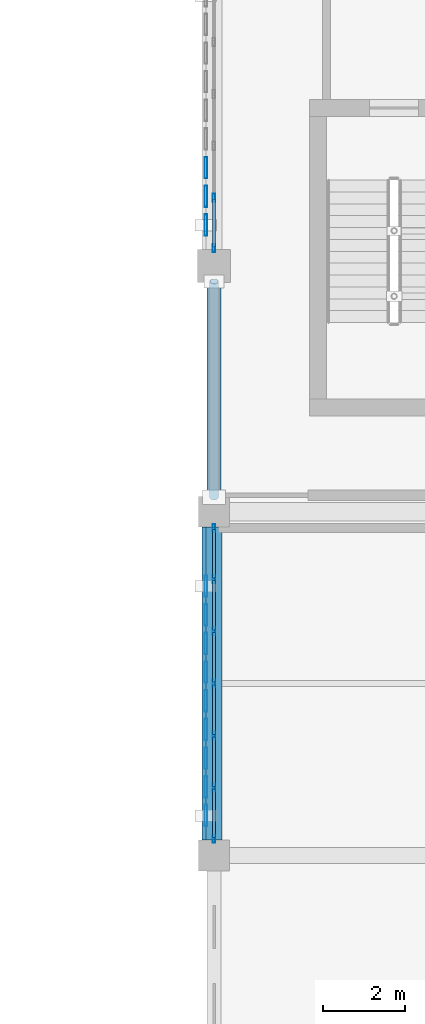
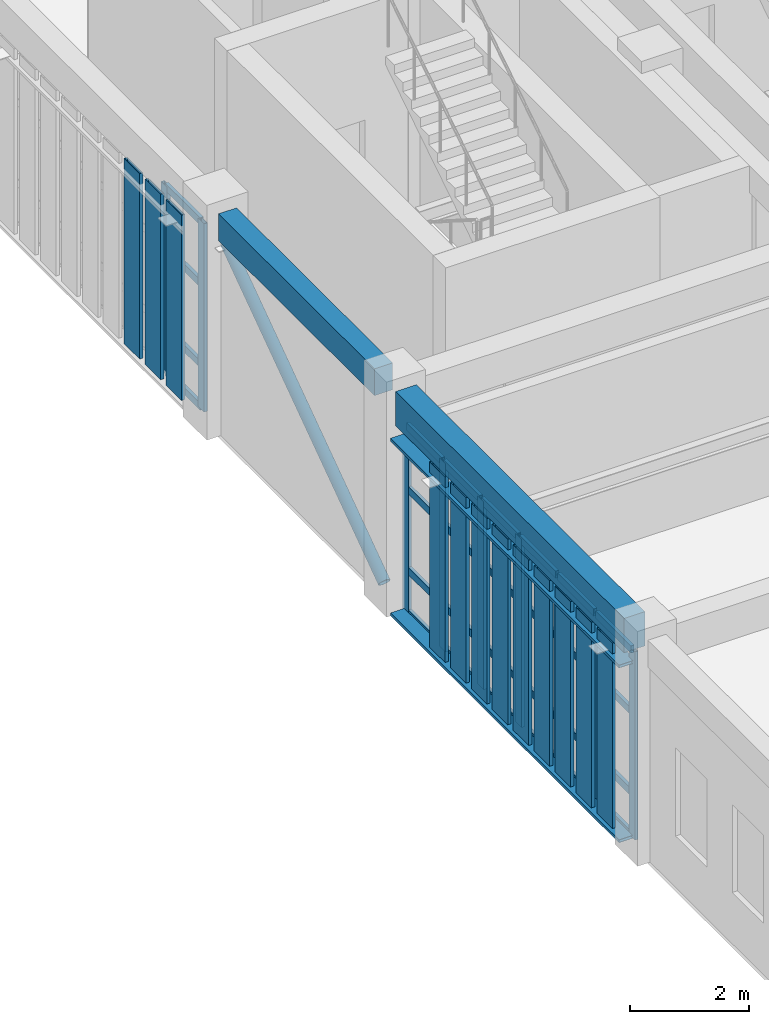
# One storey, part 40 of 76: 52 members, 2 beams, 2 elements without a shape of their own.
"""IFC4 building model written with IfcOpenShell, lengths in metres."""

from ifc_helpers import new_model, si_unit, direction, frame, origin, origin_2d, place, context, subcontext, project, spatial, rectangle, hollow_rectangle, hollow_circle, extrude, material, layer, layer_set, material_profile, profile_set, type_object, element, aggregate, save


model = new_model("IFC4")

# Units and contexts
model_context = context("Model", 3, precision=1e-05, world=origin(), true_north=direction((0.0, 1.0)))
body_context = subcontext(model_context, "Body", "Model", "MODEL_VIEW")
ifc_project = project(units=[si_unit("LENGTHUNIT", "METRE"), si_unit("AREAUNIT", "SQUARE_METRE"), si_unit("VOLUMEUNIT", "CUBIC_METRE"), si_unit("PLANEANGLEUNIT", "RADIAN"), si_unit("MASSUNIT", "GRAM", prefix="KILO")], contexts=[model_context])

# Site, building, storey
site_placement = place(None, origin())
site = spatial("IfcSite", under=ifc_project, at=site_placement, CompositionType="ELEMENT")
building_placement = place(site_placement, origin())
building = spatial("IfcBuilding", under=site, at=building_placement, Name="Krzemoval Escarpment Law Courts", CompositionType="ELEMENT")
storey_placement = place(building_placement, frame((0.0, 0.0, 20.39990234375)))
storey = spatial("IfcBuildingStorey", under=building, at=storey_placement, Name="L04", CompositionType="ELEMENT", Elevation=20.39990234375)

# Beams
ifc_material_1 = material(Name="Concrete C40/50", Category="concrete")
ifc_material_profile_1 = material_profile(ifc_material_1, rectangle(XDim=0.35009765625, YDim=0.550048828125, at=origin_2d()), Name="RCB 350x550")
ifc_profile_set_1 = profile_set([ifc_material_profile_1], Name="Concrete C40/50")
beam_type_1 = type_object("IfcBeamType", Name="BM-RC-350x550", PredefinedType="BEAM", material=ifc_profile_set_1)
beam_1_placement = place(storey_placement, frame((126.0, 93.97509765625, 4.275146484375), z_axis=(0.0, 1.0, 0.0), x_axis=(-1.0, 0.0, 0.0)))
element("IfcBeam", 1, at=beam_1_placement, inside=storey, type_object=beam_type_1, Name="Beam FG-L04-2508", PredefinedType="BEAM", context=body_context, shape_type="SweptSolid", body=[
    extrude(rectangle(XDim=0.35009765625, YDim=0.550048828125, at=origin_2d()), origin(), (0.0, 0.0, 1.0), 5.224853515625),
])
ifc_material_2 = material(Name="Concrete C40/50", Category="concrete")
ifc_material_profile_2 = material_profile(ifc_material_2, rectangle(XDim=0.39990234375, YDim=0.699951171875, at=origin_2d()), Name="RCB 400x700")
ifc_profile_set_2 = profile_set([ifc_material_profile_2], Name="Concrete C40/50")
beam_type_2 = type_object("IfcBeamType", Name="BM-RC-400x700", PredefinedType="BEAM", material=ifc_profile_set_2)
beam_2_placement = place(storey_placement, frame((126.0, 85.574951171875, 4.2001953125), z_axis=(0.0, 1.0, 0.0), x_axis=(-1.0, 0.0, 0.0)))
element("IfcBeam", 2, at=beam_2_placement, inside=storey, type_object=beam_type_2, Name="Beam FG-L04-2507", PredefinedType="BEAM", context=body_context, shape_type="SweptSolid", body=[
    extrude(rectangle(XDim=0.39990234375, YDim=0.699951171875, at=origin_2d()), origin(), (0.0, 0.0, 1.0), 7.650146484375),
])

# Curtain wall, members
ifc_material_3 = material(Name="Aluminium 6063-T6", Category="aluminium")
ifc_layer = layer(ifc_material_3, 0.219970703125)
ifc_layer_set = layer_set([ifc_layer], Name="Aluminium 6063-T6")
curtain_wall_type = type_object("IfcCurtainWallType", Name="CW-CHMB-4200", PredefinedType="USERDEFINED", material=ifc_layer_set)
curtain_wall_1_placement = place(storey_placement, origin())
curtain_wall_1 = element("IfcCurtainWall", 3, at=curtain_wall_1_placement, inside=storey, type_object=curtain_wall_type, Name="Unitised Curtain Wall FCW-L04-123", ObjectType="UNITISED_CURTAIN_WALL", PredefinedType="USERDEFINED")
ifc_material_4 = material(Name="Aluminium 6063-T6", Category="aluminium")
ifc_material_profile_3 = material_profile(ifc_material_4, hollow_rectangle(XDim=0.06494140625, YDim=0.199951171875, WallThickness=0.00439453125, at=origin_2d()), Name="ALU M65x200")
ifc_profile_set_3 = profile_set([ifc_material_profile_3], Name="Aluminium 6063-T6")
member_type_1 = type_object("IfcMemberType", Name="CWM-65x200", PredefinedType="MULLION", material=ifc_profile_set_3)
member_1_placement = place(storey_placement, frame((126.0, 85.607421875, 0.0), z_axis=(0.0, 0.0, 1.0), x_axis=(-1.0, 0.0, 0.0)))
member_1 = element("IfcMember", 4, at=member_1_placement, type_object=member_type_1, Name="FCW-L04-123 mullion 1", PredefinedType="MULLION", context=body_context, shape_type="SweptSolid", body=[
    extrude(hollow_rectangle(XDim=0.06494140625, YDim=0.199951171875, WallThickness=0.00439453125, at=origin_2d()), origin(), (0.0, 0.0, 1.0), 3.85009765625),
])
member_2_placement = place(storey_placement, frame((126.0, 86.85009765625, 0.0), z_axis=(0.0, 0.0, 1.0), x_axis=(-1.0, 0.0, 0.0)))
member_2 = element("IfcMember", 5, at=member_2_placement, type_object=member_type_1, Name="FCW-L04-123 mullion 2", PredefinedType="MULLION", context=body_context, shape_type="SweptSolid", body=[
    extrude(hollow_rectangle(XDim=0.06494140625, YDim=0.199951171875, WallThickness=0.00439453125, at=origin_2d()), origin(), (0.0, 0.0, 1.0), 3.85009765625),
])
member_3_placement = place(storey_placement, frame((126.0, 88.125, 0.0), z_axis=(0.0, 0.0, 1.0), x_axis=(-1.0, 0.0, 0.0)))
member_3 = element("IfcMember", 6, at=member_3_placement, type_object=member_type_1, Name="FCW-L04-123 mullion 3", PredefinedType="MULLION", context=body_context, shape_type="SweptSolid", body=[
    extrude(hollow_rectangle(XDim=0.06494140625, YDim=0.199951171875, WallThickness=0.00439453125, at=origin_2d()), origin(), (0.0, 0.0, 1.0), 3.85009765625),
])
member_4_placement = place(storey_placement, frame((126.0, 89.39990234375, 0.0), z_axis=(0.0, 0.0, 1.0), x_axis=(-1.0, 0.0, 0.0)))
member_4 = element("IfcMember", 7, at=member_4_placement, type_object=member_type_1, Name="FCW-L04-123 mullion 4", PredefinedType="MULLION", context=body_context, shape_type="SweptSolid", body=[
    extrude(hollow_rectangle(XDim=0.06494140625, YDim=0.199951171875, WallThickness=0.00439453125, at=origin_2d()), origin(), (0.0, 0.0, 1.0), 3.85009765625),
])
member_5_placement = place(storey_placement, frame((126.0, 90.675048828125, 0.0), z_axis=(0.0, 0.0, 1.0), x_axis=(-1.0, 0.0, 0.0)))
member_5 = element("IfcMember", 8, at=member_5_placement, type_object=member_type_1, Name="FCW-L04-123 mullion 5", PredefinedType="MULLION", context=body_context, shape_type="SweptSolid", body=[
    extrude(hollow_rectangle(XDim=0.06494140625, YDim=0.199951171875, WallThickness=0.00439453125, at=origin_2d()), origin(), (0.0, 0.0, 1.0), 3.85009765625),
])
member_6_placement = place(storey_placement, frame((126.0, 91.949951171875, 0.0), z_axis=(0.0, 0.0, 1.0), x_axis=(-1.0, 0.0, 0.0)))
member_6 = element("IfcMember", 9, at=member_6_placement, type_object=member_type_1, Name="FCW-L04-123 mullion 6", PredefinedType="MULLION", context=body_context, shape_type="SweptSolid", body=[
    extrude(hollow_rectangle(XDim=0.06494140625, YDim=0.199951171875, WallThickness=0.00439453125, at=origin_2d()), origin(), (0.0, 0.0, 1.0), 3.85009765625),
])
member_7_placement = place(storey_placement, frame((126.0, 93.1923828125, 0.0), z_axis=(0.0, 0.0, 1.0), x_axis=(-1.0, 0.0, 0.0)))
member_7 = element("IfcMember", 10, at=member_7_placement, type_object=member_type_1, Name="FCW-L04-123 mullion 7", PredefinedType="MULLION", context=body_context, shape_type="SweptSolid", body=[
    extrude(hollow_rectangle(XDim=0.06494140625, YDim=0.199951171875, WallThickness=0.00439453125, at=origin_2d()), origin(), (0.0, 0.0, 1.0), 3.85009765625),
])

curtain_wall_2_placement = place(storey_placement, origin())
curtain_wall_2 = element("IfcCurtainWall", 11, at=curtain_wall_2_placement, inside=storey, type_object=curtain_wall_type, Name="Unitised Curtain Wall FCW-L04-124", ObjectType="UNITISED_CURTAIN_WALL", PredefinedType="USERDEFINED")
member_8_placement = place(storey_placement, frame((126.0, 100.032470703125, 0.0), z_axis=(0.0, 0.0, 1.0), x_axis=(-1.0, 0.0, 0.0)))
member_8 = element("IfcMember", 12, at=member_8_placement, type_object=member_type_1, Name="FCW-L04-124 mullion 1", PredefinedType="MULLION", context=body_context, shape_type="SweptSolid", body=[
    extrude(hollow_rectangle(XDim=0.06494140625, YDim=0.199951171875, WallThickness=0.00439453125, at=origin_2d()), origin(), (0.0, 0.0, 1.0), 3.85009765625),
])
member_9_placement = place(storey_placement, frame((126.0, 101.2666015625, 0.0), z_axis=(0.0, 0.0, 1.0), x_axis=(-1.0, 0.0, 0.0)))
member_9 = element("IfcMember", 13, at=member_9_placement, type_object=member_type_1, Name="FCW-L04-124 mullion 2", PredefinedType="MULLION", context=body_context, shape_type="SweptSolid", body=[
    extrude(hollow_rectangle(XDim=0.06494140625, YDim=0.199951171875, WallThickness=0.00439453125, at=origin_2d()), origin(), (0.0, 0.0, 1.0), 3.85009765625),
])

# Member
ifc_material_5 = material(Name="Aluminium 6063-T6", Category="aluminium")
ifc_material_profile_4 = material_profile(ifc_material_5, hollow_rectangle(XDim=0.06494140625, YDim=0.14990234375, WallThickness=0.00439453125, at=origin_2d()), Name="ALU T65x150")
ifc_profile_set_4 = profile_set([ifc_material_profile_4], Name="Aluminium 6063-T6")
member_type_2 = type_object("IfcMemberType", Name="CWT-65x150", PredefinedType="USERDEFINED", material=ifc_profile_set_4)
member_10_placement = place(storey_placement, frame((126.0, 85.639892578125, 0.03271484375), z_axis=(0.0, 1.0, 0.0), x_axis=(-1.0, 0.0, 0.0)))
member_10 = element("IfcMember", 14, at=member_10_placement, type_object=member_type_2, Name="FCW-L04-123 transom 1.1", ObjectType="TRANSOM", PredefinedType="USERDEFINED", context=body_context, shape_type="SweptSolid", body=[
    extrude(hollow_rectangle(XDim=0.06494140625, YDim=0.14990234375, WallThickness=0.00439453125, at=origin_2d()), origin(), (0.0, 0.0, 1.0), 1.177490234375),
])

member_11_placement = place(storey_placement, frame((126.0, 85.639892578125, 0.900146484375), z_axis=(0.0, 1.0, 0.0), x_axis=(-1.0, 0.0, 0.0)))
member_11 = element("IfcMember", 15, at=member_11_placement, type_object=member_type_2, Name="FCW-L04-123 transom 1.2", ObjectType="TRANSOM", PredefinedType="USERDEFINED", context=body_context, shape_type="SweptSolid", body=[
    extrude(hollow_rectangle(XDim=0.06494140625, YDim=0.14990234375, WallThickness=0.00439453125, at=origin_2d()), origin(), (0.0, 0.0, 1.0), 1.177490234375),
])

member_12_placement = place(storey_placement, frame((126.0, 85.639892578125, 2.550048828125), z_axis=(0.0, 1.0, 0.0), x_axis=(-1.0, 0.0, 0.0)))
member_12 = element("IfcMember", 16, at=member_12_placement, type_object=member_type_2, Name="FCW-L04-123 transom 1.3", ObjectType="TRANSOM", PredefinedType="USERDEFINED", context=body_context, shape_type="SweptSolid", body=[
    extrude(hollow_rectangle(XDim=0.06494140625, YDim=0.14990234375, WallThickness=0.00439453125, at=origin_2d()), origin(), (0.0, 0.0, 1.0), 1.177490234375),
])

member_13_placement = place(storey_placement, frame((126.0, 85.639892578125, 3.817626953125), z_axis=(0.0, 1.0, 0.0), x_axis=(-1.0, 0.0, 0.0)))
member_13 = element("IfcMember", 17, at=member_13_placement, type_object=member_type_2, Name="FCW-L04-123 transom 1.4", ObjectType="TRANSOM", PredefinedType="USERDEFINED", context=body_context, shape_type="SweptSolid", body=[
    extrude(hollow_rectangle(XDim=0.06494140625, YDim=0.14990234375, WallThickness=0.00439453125, at=origin_2d()), origin(), (0.0, 0.0, 1.0), 1.177490234375),
])

member_14_placement = place(storey_placement, frame((126.0, 86.882568359375, 0.03271484375), z_axis=(0.0, 1.0, 0.0), x_axis=(-1.0, 0.0, 0.0)))
member_14 = element("IfcMember", 18, at=member_14_placement, type_object=member_type_2, Name="FCW-L04-123 transom 2.1", ObjectType="TRANSOM", PredefinedType="USERDEFINED", context=body_context, shape_type="SweptSolid", body=[
    extrude(hollow_rectangle(XDim=0.06494140625, YDim=0.14990234375, WallThickness=0.00439453125, at=origin_2d()), origin(), (0.0, 0.0, 1.0), 1.2099609375),
])

member_15_placement = place(storey_placement, frame((126.0, 86.882568359375, 0.900146484375), z_axis=(0.0, 1.0, 0.0), x_axis=(-1.0, 0.0, 0.0)))
member_15 = element("IfcMember", 19, at=member_15_placement, type_object=member_type_2, Name="FCW-L04-123 transom 2.2", ObjectType="TRANSOM", PredefinedType="USERDEFINED", context=body_context, shape_type="SweptSolid", body=[
    extrude(hollow_rectangle(XDim=0.06494140625, YDim=0.14990234375, WallThickness=0.00439453125, at=origin_2d()), origin(), (0.0, 0.0, 1.0), 1.2099609375),
])

member_16_placement = place(storey_placement, frame((126.0, 86.882568359375, 2.550048828125), z_axis=(0.0, 1.0, 0.0), x_axis=(-1.0, 0.0, 0.0)))
member_16 = element("IfcMember", 20, at=member_16_placement, type_object=member_type_2, Name="FCW-L04-123 transom 2.3", ObjectType="TRANSOM", PredefinedType="USERDEFINED", context=body_context, shape_type="SweptSolid", body=[
    extrude(hollow_rectangle(XDim=0.06494140625, YDim=0.14990234375, WallThickness=0.00439453125, at=origin_2d()), origin(), (0.0, 0.0, 1.0), 1.2099609375),
])

member_17_placement = place(storey_placement, frame((126.0, 86.882568359375, 3.817626953125), z_axis=(0.0, 1.0, 0.0), x_axis=(-1.0, 0.0, 0.0)))
member_17 = element("IfcMember", 21, at=member_17_placement, type_object=member_type_2, Name="FCW-L04-123 transom 2.4", ObjectType="TRANSOM", PredefinedType="USERDEFINED", context=body_context, shape_type="SweptSolid", body=[
    extrude(hollow_rectangle(XDim=0.06494140625, YDim=0.14990234375, WallThickness=0.00439453125, at=origin_2d()), origin(), (0.0, 0.0, 1.0), 1.2099609375),
])

member_18_placement = place(storey_placement, frame((126.0, 88.157470703125, 0.03271484375), z_axis=(0.0, 1.0, 0.0), x_axis=(-1.0, 0.0, 0.0)))
member_18 = element("IfcMember", 22, at=member_18_placement, type_object=member_type_2, Name="FCW-L04-123 transom 3.1", ObjectType="TRANSOM", PredefinedType="USERDEFINED", context=body_context, shape_type="SweptSolid", body=[
    extrude(hollow_rectangle(XDim=0.06494140625, YDim=0.14990234375, WallThickness=0.00439453125, at=origin_2d()), origin(), (0.0, 0.0, 1.0), 1.2099609375),
])

member_19_placement = place(storey_placement, frame((126.0, 88.157470703125, 0.900146484375), z_axis=(0.0, 1.0, 0.0), x_axis=(-1.0, 0.0, 0.0)))
member_19 = element("IfcMember", 23, at=member_19_placement, type_object=member_type_2, Name="FCW-L04-123 transom 3.2", ObjectType="TRANSOM", PredefinedType="USERDEFINED", context=body_context, shape_type="SweptSolid", body=[
    extrude(hollow_rectangle(XDim=0.06494140625, YDim=0.14990234375, WallThickness=0.00439453125, at=origin_2d()), origin(), (0.0, 0.0, 1.0), 1.2099609375),
])

member_20_placement = place(storey_placement, frame((126.0, 88.157470703125, 2.550048828125), z_axis=(0.0, 1.0, 0.0), x_axis=(-1.0, 0.0, 0.0)))
member_20 = element("IfcMember", 24, at=member_20_placement, type_object=member_type_2, Name="FCW-L04-123 transom 3.3", ObjectType="TRANSOM", PredefinedType="USERDEFINED", context=body_context, shape_type="SweptSolid", body=[
    extrude(hollow_rectangle(XDim=0.06494140625, YDim=0.14990234375, WallThickness=0.00439453125, at=origin_2d()), origin(), (0.0, 0.0, 1.0), 1.2099609375),
])

member_21_placement = place(storey_placement, frame((126.0, 88.157470703125, 3.817626953125), z_axis=(0.0, 1.0, 0.0), x_axis=(-1.0, 0.0, 0.0)))
member_21 = element("IfcMember", 25, at=member_21_placement, type_object=member_type_2, Name="FCW-L04-123 transom 3.4", ObjectType="TRANSOM", PredefinedType="USERDEFINED", context=body_context, shape_type="SweptSolid", body=[
    extrude(hollow_rectangle(XDim=0.06494140625, YDim=0.14990234375, WallThickness=0.00439453125, at=origin_2d()), origin(), (0.0, 0.0, 1.0), 1.2099609375),
])

member_22_placement = place(storey_placement, frame((126.0, 89.4326171875, 0.03271484375), z_axis=(0.0, 1.0, 0.0), x_axis=(-1.0, 0.0, 0.0)))
member_22 = element("IfcMember", 26, at=member_22_placement, type_object=member_type_2, Name="FCW-L04-123 transom 4.1", ObjectType="TRANSOM", PredefinedType="USERDEFINED", context=body_context, shape_type="SweptSolid", body=[
    extrude(hollow_rectangle(XDim=0.06494140625, YDim=0.14990234375, WallThickness=0.00439453125, at=origin_2d()), origin(), (0.0, 0.0, 1.0), 1.2099609375),
])

member_23_placement = place(storey_placement, frame((126.0, 89.4326171875, 0.900146484375), z_axis=(0.0, 1.0, 0.0), x_axis=(-1.0, 0.0, 0.0)))
member_23 = element("IfcMember", 27, at=member_23_placement, type_object=member_type_2, Name="FCW-L04-123 transom 4.2", ObjectType="TRANSOM", PredefinedType="USERDEFINED", context=body_context, shape_type="SweptSolid", body=[
    extrude(hollow_rectangle(XDim=0.06494140625, YDim=0.14990234375, WallThickness=0.00439453125, at=origin_2d()), origin(), (0.0, 0.0, 1.0), 1.2099609375),
])

member_24_placement = place(storey_placement, frame((126.0, 89.4326171875, 2.550048828125), z_axis=(0.0, 1.0, 0.0), x_axis=(-1.0, 0.0, 0.0)))
member_24 = element("IfcMember", 28, at=member_24_placement, type_object=member_type_2, Name="FCW-L04-123 transom 4.3", ObjectType="TRANSOM", PredefinedType="USERDEFINED", context=body_context, shape_type="SweptSolid", body=[
    extrude(hollow_rectangle(XDim=0.06494140625, YDim=0.14990234375, WallThickness=0.00439453125, at=origin_2d()), origin(), (0.0, 0.0, 1.0), 1.2099609375),
])

member_25_placement = place(storey_placement, frame((126.0, 89.4326171875, 3.817626953125), z_axis=(0.0, 1.0, 0.0), x_axis=(-1.0, 0.0, 0.0)))
member_25 = element("IfcMember", 29, at=member_25_placement, type_object=member_type_2, Name="FCW-L04-123 transom 4.4", ObjectType="TRANSOM", PredefinedType="USERDEFINED", context=body_context, shape_type="SweptSolid", body=[
    extrude(hollow_rectangle(XDim=0.06494140625, YDim=0.14990234375, WallThickness=0.00439453125, at=origin_2d()), origin(), (0.0, 0.0, 1.0), 1.2099609375),
])

member_26_placement = place(storey_placement, frame((126.0, 90.70751953125, 0.03271484375), z_axis=(0.0, 1.0, 0.0), x_axis=(-1.0, 0.0, 0.0)))
member_26 = element("IfcMember", 30, at=member_26_placement, type_object=member_type_2, Name="FCW-L04-123 transom 5.1", ObjectType="TRANSOM", PredefinedType="USERDEFINED", context=body_context, shape_type="SweptSolid", body=[
    extrude(hollow_rectangle(XDim=0.06494140625, YDim=0.14990234375, WallThickness=0.00439453125, at=origin_2d()), origin(), (0.0, 0.0, 1.0), 1.2099609375),
])

member_27_placement = place(storey_placement, frame((126.0, 90.70751953125, 0.900146484375), z_axis=(0.0, 1.0, 0.0), x_axis=(-1.0, 0.0, 0.0)))
member_27 = element("IfcMember", 31, at=member_27_placement, type_object=member_type_2, Name="FCW-L04-123 transom 5.2", ObjectType="TRANSOM", PredefinedType="USERDEFINED", context=body_context, shape_type="SweptSolid", body=[
    extrude(hollow_rectangle(XDim=0.06494140625, YDim=0.14990234375, WallThickness=0.00439453125, at=origin_2d()), origin(), (0.0, 0.0, 1.0), 1.2099609375),
])

member_28_placement = place(storey_placement, frame((126.0, 90.70751953125, 2.550048828125), z_axis=(0.0, 1.0, 0.0), x_axis=(-1.0, 0.0, 0.0)))
member_28 = element("IfcMember", 32, at=member_28_placement, type_object=member_type_2, Name="FCW-L04-123 transom 5.3", ObjectType="TRANSOM", PredefinedType="USERDEFINED", context=body_context, shape_type="SweptSolid", body=[
    extrude(hollow_rectangle(XDim=0.06494140625, YDim=0.14990234375, WallThickness=0.00439453125, at=origin_2d()), origin(), (0.0, 0.0, 1.0), 1.2099609375),
])

member_29_placement = place(storey_placement, frame((126.0, 90.70751953125, 3.817626953125), z_axis=(0.0, 1.0, 0.0), x_axis=(-1.0, 0.0, 0.0)))
member_29 = element("IfcMember", 33, at=member_29_placement, type_object=member_type_2, Name="FCW-L04-123 transom 5.4", ObjectType="TRANSOM", PredefinedType="USERDEFINED", context=body_context, shape_type="SweptSolid", body=[
    extrude(hollow_rectangle(XDim=0.06494140625, YDim=0.14990234375, WallThickness=0.00439453125, at=origin_2d()), origin(), (0.0, 0.0, 1.0), 1.2099609375),
])

member_30_placement = place(storey_placement, frame((126.0, 91.982421875, 0.03271484375), z_axis=(0.0, 1.0, 0.0), x_axis=(-1.0, 0.0, 0.0)))
member_30 = element("IfcMember", 34, at=member_30_placement, type_object=member_type_2, Name="FCW-L04-123 transom 6.1", ObjectType="TRANSOM", PredefinedType="USERDEFINED", context=body_context, shape_type="SweptSolid", body=[
    extrude(hollow_rectangle(XDim=0.06494140625, YDim=0.14990234375, WallThickness=0.00439453125, at=origin_2d()), origin(), (0.0, 0.0, 1.0), 1.177490234375),
])

member_31_placement = place(storey_placement, frame((126.0, 91.982421875, 0.900146484375), z_axis=(0.0, 1.0, 0.0), x_axis=(-1.0, 0.0, 0.0)))
member_31 = element("IfcMember", 35, at=member_31_placement, type_object=member_type_2, Name="FCW-L04-123 transom 6.2", ObjectType="TRANSOM", PredefinedType="USERDEFINED", context=body_context, shape_type="SweptSolid", body=[
    extrude(hollow_rectangle(XDim=0.06494140625, YDim=0.14990234375, WallThickness=0.00439453125, at=origin_2d()), origin(), (0.0, 0.0, 1.0), 1.177490234375),
])

member_32_placement = place(storey_placement, frame((126.0, 91.982421875, 2.550048828125), z_axis=(0.0, 1.0, 0.0), x_axis=(-1.0, 0.0, 0.0)))
member_32 = element("IfcMember", 36, at=member_32_placement, type_object=member_type_2, Name="FCW-L04-123 transom 6.3", ObjectType="TRANSOM", PredefinedType="USERDEFINED", context=body_context, shape_type="SweptSolid", body=[
    extrude(hollow_rectangle(XDim=0.06494140625, YDim=0.14990234375, WallThickness=0.00439453125, at=origin_2d()), origin(), (0.0, 0.0, 1.0), 1.177490234375),
])

member_33_placement = place(storey_placement, frame((126.0, 91.982421875, 3.817626953125), z_axis=(0.0, 1.0, 0.0), x_axis=(-1.0, 0.0, 0.0)))
member_33 = element("IfcMember", 37, at=member_33_placement, type_object=member_type_2, Name="FCW-L04-123 transom 6.4", ObjectType="TRANSOM", PredefinedType="USERDEFINED", context=body_context, shape_type="SweptSolid", body=[
    extrude(hollow_rectangle(XDim=0.06494140625, YDim=0.14990234375, WallThickness=0.00439453125, at=origin_2d()), origin(), (0.0, 0.0, 1.0), 1.177490234375),
])

aggregate(curtain_wall_1, [member_1, member_2, member_3, member_4, member_5, member_6, member_7, member_10, member_11, member_12, member_13, member_14, member_15, member_16, member_17, member_18, member_19, member_20, member_21, member_22, member_23, member_24, member_25, member_26, member_27, member_28, member_29, member_30, member_31, member_32, member_33])

member_34_placement = place(storey_placement, frame((126.0, 100.06494140625, 0.03271484375), z_axis=(0.0, 1.0, 0.0), x_axis=(-1.0, 0.0, 0.0)))
member_34 = element("IfcMember", 38, at=member_34_placement, type_object=member_type_2, Name="FCW-L04-124 transom 1.1", ObjectType="TRANSOM", PredefinedType="USERDEFINED", context=body_context, shape_type="SweptSolid", body=[
    extrude(hollow_rectangle(XDim=0.06494140625, YDim=0.14990234375, WallThickness=0.00439453125, at=origin_2d()), origin(), (0.0, 0.0, 1.0), 1.169189453125),
])

member_35_placement = place(storey_placement, frame((126.0, 100.06494140625, 0.900146484375), z_axis=(0.0, 1.0, 0.0), x_axis=(-1.0, 0.0, 0.0)))
member_35 = element("IfcMember", 39, at=member_35_placement, type_object=member_type_2, Name="FCW-L04-124 transom 1.2", ObjectType="TRANSOM", PredefinedType="USERDEFINED", context=body_context, shape_type="SweptSolid", body=[
    extrude(hollow_rectangle(XDim=0.06494140625, YDim=0.14990234375, WallThickness=0.00439453125, at=origin_2d()), origin(), (0.0, 0.0, 1.0), 1.169189453125),
])

member_36_placement = place(storey_placement, frame((126.0, 100.06494140625, 2.550048828125), z_axis=(0.0, 1.0, 0.0), x_axis=(-1.0, 0.0, 0.0)))
member_36 = element("IfcMember", 40, at=member_36_placement, type_object=member_type_2, Name="FCW-L04-124 transom 1.3", ObjectType="TRANSOM", PredefinedType="USERDEFINED", context=body_context, shape_type="SweptSolid", body=[
    extrude(hollow_rectangle(XDim=0.06494140625, YDim=0.14990234375, WallThickness=0.00439453125, at=origin_2d()), origin(), (0.0, 0.0, 1.0), 1.169189453125),
])

member_37_placement = place(storey_placement, frame((126.0, 100.06494140625, 3.817626953125), z_axis=(0.0, 1.0, 0.0), x_axis=(-1.0, 0.0, 0.0)))
member_37 = element("IfcMember", 41, at=member_37_placement, type_object=member_type_2, Name="FCW-L04-124 transom 1.4", ObjectType="TRANSOM", PredefinedType="USERDEFINED", context=body_context, shape_type="SweptSolid", body=[
    extrude(hollow_rectangle(XDim=0.06494140625, YDim=0.14990234375, WallThickness=0.00439453125, at=origin_2d()), origin(), (0.0, 0.0, 1.0), 1.169189453125),
])

aggregate(curtain_wall_2, [member_8, member_9, member_34, member_35, member_36, member_37])

# Members
ifc_material_6 = material(Name="Anodised Aluminium Alloy 6063-T6", Category="aluminium")
ifc_material_profile_5 = material_profile(ifc_material_6, hollow_rectangle(XDim=0.06005859375, YDim=0.320068359375, WallThickness=0.00390625, at=origin_2d()), Name="ALU LVR 60x320")
ifc_profile_set_5 = profile_set([ifc_material_profile_5], Name="Anodised Aluminium Alloy 6063-T6")
member_type_3 = type_object("IfcMemberType", Name="LVR-ALU-320", PredefinedType="USERDEFINED", material=ifc_profile_set_5)
for number, where, z_axis, x_axis, name in (
    (42, (125.860107421875, 85.574951171875, 0.030029296875), (0.0, 1.0, 0.0), (0.0, 0.0, 1.0), "Sunshade Support Rail FSR-L04-0837"),
    (43, (125.860107421875, 85.574951171875, 3.60009765625), (0.0, 1.0, 0.0), (0.0, 0.0, 1.0), "Sunshade Support Rail FSR-L04-0838"),
):
    element("IfcMember", number, at=place(storey_placement, frame(where, z_axis=z_axis, x_axis=x_axis)), inside=storey, type_object=member_type_3, Name=name, ObjectType="SUNSHADE_LOUVRE", PredefinedType="USERDEFINED", context=body_context, shape_type="SweptSolid", body=[
        extrude(hollow_rectangle(XDim=0.06005859375, YDim=0.320068359375, WallThickness=0.00390625, at=origin_2d()), origin(), (0.0, 0.0, 1.0), 7.650146484375),
    ])
ifc_material_7 = material(Name="Anodised Aluminium Alloy 6063-T6", Category="aluminium")
ifc_material_profile_6 = material_profile(ifc_material_7, hollow_rectangle(XDim=0.06494140625, YDim=0.52001953125, WallThickness=0.00439453125, at=origin_2d()), Name="ALU LVR 65x520")
ifc_profile_set_6 = profile_set([ifc_material_profile_6], Name="Anodised Aluminium Alloy 6063-T6")
member_type_4 = type_object("IfcMemberType", Name="LVR-ALU-520", PredefinedType="USERDEFINED", material=ifc_profile_set_6)
for number, where, z_axis, x_axis, name in (
    (44, (125.800048828125, 86.175048828125, 0.06005859375), (0.0, 0.0, 1.0), (1.0, 0.0, 0.0), "Sunshade Louvre Fin FLV-L04-0839"),
    (45, (125.800048828125, 86.875, 0.06005859375), (0.0, 0.0, 1.0), (1.0, 0.0, 0.0), "Sunshade Louvre Fin FLV-L04-0840"),
    (46, (125.800048828125, 87.574951171875, 0.06005859375), (0.0, 0.0, 1.0), (1.0, 0.0, 0.0), "Sunshade Louvre Fin FLV-L04-0841"),
    (47, (125.800048828125, 88.27490234375, 0.06005859375), (0.0, 0.0, 1.0), (1.0, 0.0, 0.0), "Sunshade Louvre Fin FLV-L04-0842"),
    (48, (125.800048828125, 88.97509765625, 0.06005859375), (0.0, 0.0, 1.0), (1.0, 0.0, 0.0), "Sunshade Louvre Fin FLV-L04-0843"),
    (49, (125.800048828125, 89.675048828125, 0.06005859375), (0.0, 0.0, 1.0), (1.0, 0.0, 0.0), "Sunshade Louvre Fin FLV-L04-0844"),
    (50, (125.800048828125, 90.375, 0.06005859375), (0.0, 0.0, 1.0), (1.0, 0.0, 0.0), "Sunshade Louvre Fin FLV-L04-0845"),
    (51, (125.800048828125, 91.074951171875, 0.06005859375), (0.0, 0.0, 1.0), (1.0, 0.0, 0.0), "Sunshade Louvre Fin FLV-L04-0846"),
    (52, (125.800048828125, 91.77490234375, 0.06005859375), (0.0, 0.0, 1.0), (1.0, 0.0, 0.0), "Sunshade Louvre Fin FLV-L04-0847"),
    (53, (125.800048828125, 100.60009765625, 0.06005859375), (0.0, 0.0, 1.0), (1.0, 0.0, 0.0), "Sunshade Louvre Fin FLV-L04-0850"),
    (54, (125.800048828125, 101.300048828125, 0.06005859375), (0.0, 0.0, 1.0), (1.0, 0.0, 0.0), "Sunshade Louvre Fin FLV-L04-0851"),
    (55, (125.800048828125, 102.0, 0.06005859375), (0.0, 0.0, 1.0), (1.0, 0.0, 0.0), "Sunshade Louvre Fin FLV-L04-0852"),
):
    element("IfcMember", number, at=place(storey_placement, frame(where, z_axis=z_axis, x_axis=x_axis)), inside=storey, type_object=member_type_4, Name=name, ObjectType="SUNSHADE_LOUVRE", PredefinedType="USERDEFINED", context=body_context, shape_type="SweptSolid", body=[
        extrude(hollow_rectangle(XDim=0.06494140625, YDim=0.52001953125, WallThickness=0.00439453125, at=origin_2d()), origin(), (0.0, 0.0, 1.0), 3.7900390625),
    ])
ifc_material_8 = material(Name="Steel S355", Category="steel")
ifc_material_profile_7 = material_profile(ifc_material_8, hollow_circle(Radius=0.109619140625, WallThickness=0.010009765625, at=origin_2d()), Name="CHS 219.1x10")
ifc_profile_set_7 = profile_set([ifc_material_profile_7], Name="Steel S355")
member_type_5 = type_object("IfcMemberType", Name="MBR-BRC-CHS219", PredefinedType="BRACE", material=ifc_profile_set_7)
member_38_placement = place(storey_placement, frame((126.0, 93.949951171875, 0.14013671875), z_axis=(0.0, 0.816504707904, 0.577338775738), x_axis=(-1.0, 0.0, 0.0)))
element("IfcMember", 56, at=member_38_placement, inside=storey, type_object=member_type_5, Name="Lateral Diagonal Brace BR-0249", PredefinedType="BRACE", context=body_context, shape_type="SweptSolid", body=[
    extrude(hollow_circle(Radius=0.109619140625, WallThickness=0.010009765625, at=origin_2d()), origin(), (0.0, 0.0, 1.0), 6.460693359375),
])

save(model, "model.ifc")
